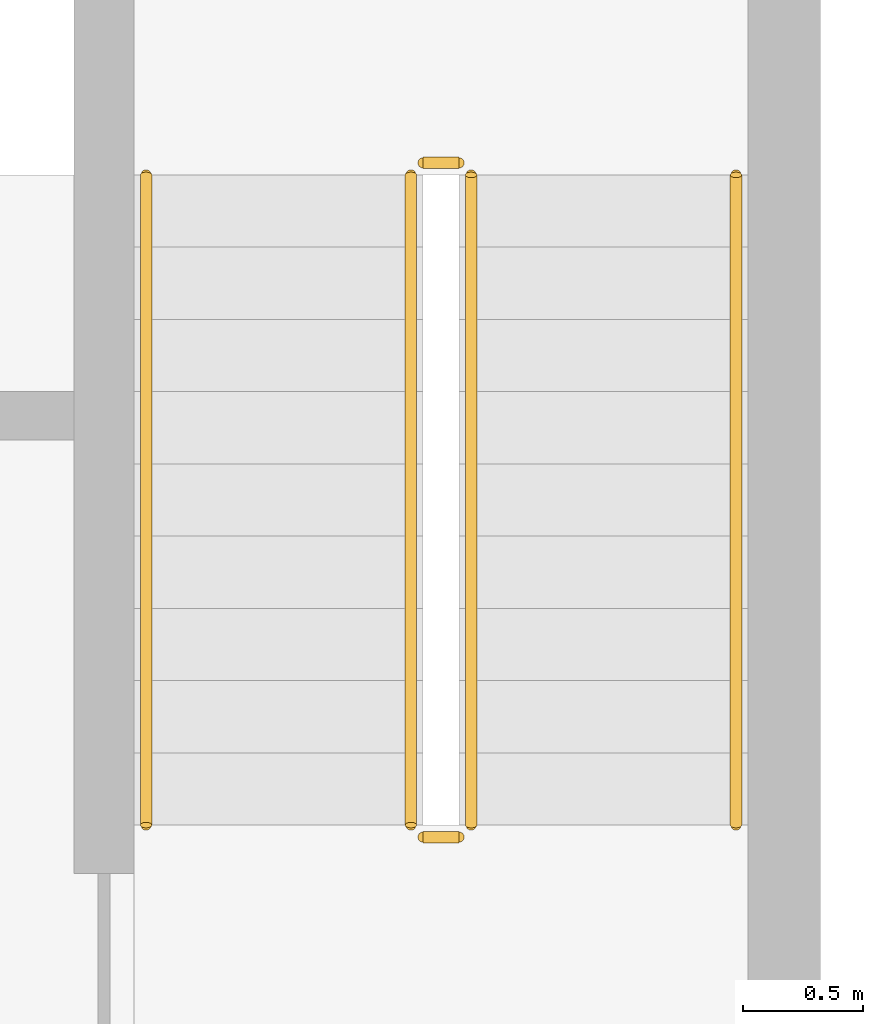
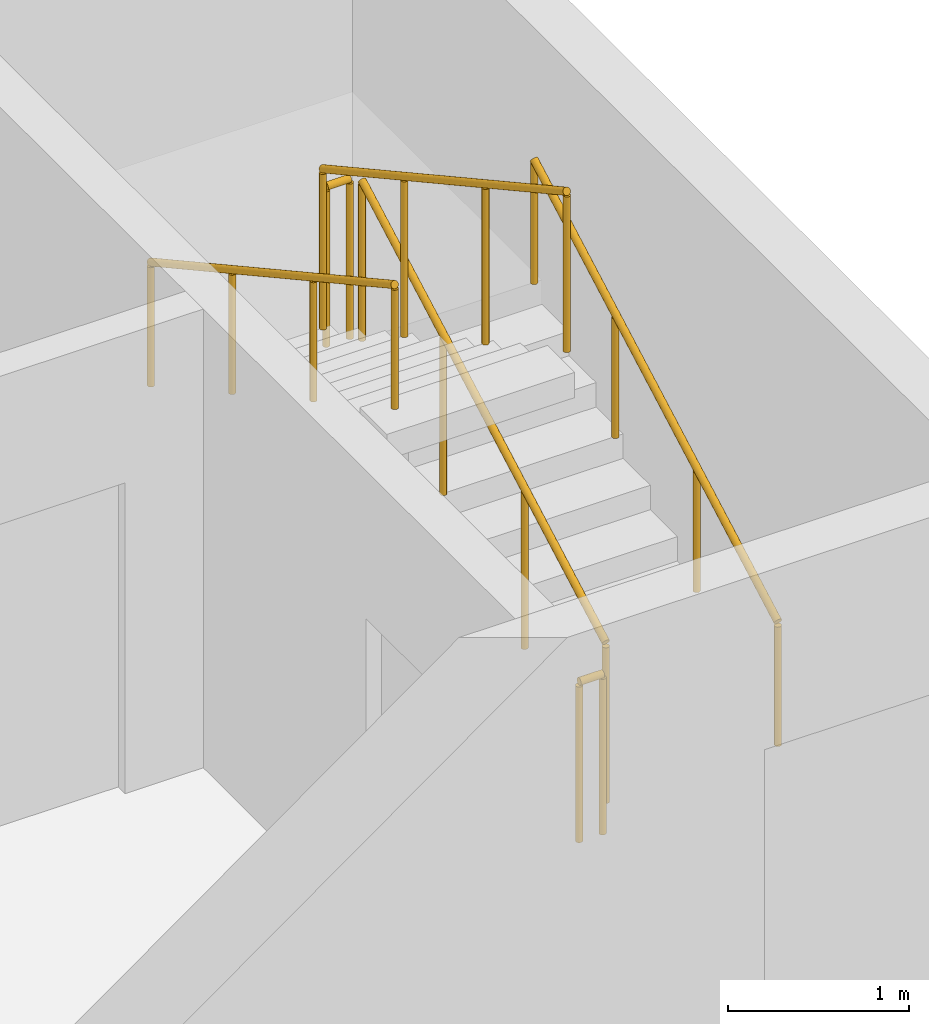
# One storey, part 187 of 199: 6 railings.
"""IFC4 building model written with IfcOpenShell, lengths in metres."""

from ifc_helpers import new_model, si_unit, direction, frame, origin, origin_2d, place, context, subcontext, project, spatial, circle, extrude, material, type_object, element, save


model = new_model("IFC4")

# Units and contexts
model_context = context("Model", 3, precision=1e-05, world=origin(), true_north=direction((0.0, 1.0)))
body_context = subcontext(model_context, "Body", "Model", "MODEL_VIEW")
ifc_project = project(units=[si_unit("LENGTHUNIT", "METRE"), si_unit("AREAUNIT", "SQUARE_METRE"), si_unit("VOLUMEUNIT", "CUBIC_METRE"), si_unit("PLANEANGLEUNIT", "RADIAN"), si_unit("MASSUNIT", "GRAM", prefix="KILO")], contexts=[model_context])

# Site, building, storey
site_placement = place(None, origin())
site = spatial("IfcSite", under=ifc_project, at=site_placement, CompositionType="ELEMENT")
building_placement = place(site_placement, origin())
building = spatial("IfcBuilding", under=site, at=building_placement, Name="Parallax Yard Mobility Hub", CompositionType="ELEMENT")
storey_placement = place(building_placement, frame((0.0, 0.0, 9.89990234375)))
storey = spatial("IfcBuildingStorey", under=building, at=storey_placement, Name="L03", CompositionType="ELEMENT", Elevation=9.89990234375)

# Railings
ifc_material = material(Name="Steel ASTM A36", Category="steel")
railing_type_1 = type_object("IfcRailingType", Name="Stair guard 1100", PredefinedType="GUARDRAIL", material=ifc_material)
railing_1_placement = place(storey_placement, frame((141.050048828125, 47.39990234375, 0.1650390625)))
element("IfcRailing", 1, at=railing_1_placement, inside=storey, type_object=railing_type_1, Name="L03 ST14 stair guard 1", PredefinedType="GUARDRAIL", context=body_context, shape_type="SweptSolid", body=[
    extrude(circle(Radius=0.02392578125, at=origin_2d()), frame((0.0, 0.0, 1.076171875), z_axis=(0.0, 0.876215908677, 0.481918749772), x_axis=(-1.0, 0.0, 0.0)), (0.0, 0.0, 1.0), 3.08154296875),
    extrude(circle(Radius=0.02099609375, at=origin_2d()), origin(), (0.0, 0.0, 1.0), 1.052001953125),
    extrude(circle(Radius=0.02099609375, at=origin_2d()), frame((0.0, 0.900146484375, 0.4951171875)), (0.0, 0.0, 1.0), 1.052001953125),
    extrude(circle(Radius=0.02099609375, at=origin_2d()), frame((0.0, 1.800048828125, 0.989990234375)), (0.0, 0.0, 1.0), 1.052001953125),
    extrude(circle(Radius=0.02099609375, at=origin_2d()), frame((0.0, 2.7001953125, 1.485107421875)), (0.0, 0.0, 1.0), 1.052001953125),
])
railing_2_placement = place(storey_placement, frame((141.0, 50.14990234375, 1.650146484375)))
element("IfcRailing", 2, at=railing_2_placement, inside=storey, type_object=railing_type_1, Name="L03 ST14 stair guard 2", PredefinedType="GUARDRAIL", context=body_context, shape_type="SweptSolid", body=[
    extrude(circle(Radius=0.02392578125, at=origin_2d()), frame((0.0, 0.0, 1.076171875), z_axis=(-1.0, 0.0, 0.0), x_axis=(0.0, -1.0, 0.0)), (0.0, 0.0, 1.0), 0.14990234375),
    extrude(circle(Radius=0.02099609375, at=origin_2d()), origin(), (0.0, 0.0, 1.0), 1.052001953125),
    extrude(circle(Radius=0.02099609375, at=origin_2d()), frame((-0.14990234375, 0.0, 0.0)), (0.0, 0.0, 1.0), 1.052001953125),
])
railing_3_placement = place(storey_placement, frame((140.800048828125, 50.10009765625, 1.815185546875)))
element("IfcRailing", 3, at=railing_3_placement, inside=storey, type_object=railing_type_1, Name="L03 ST14 stair guard 3", PredefinedType="GUARDRAIL", context=body_context, shape_type="SweptSolid", body=[
    extrude(circle(Radius=0.02392578125, at=origin_2d()), frame((0.0, 0.0, 1.076171875), z_axis=(0.0, -0.876249361297, 0.481857921827), x_axis=(1.0, 0.0, 0.0)), (0.0, 0.0, 1.0), 3.08154296875),
    extrude(circle(Radius=0.02099609375, at=origin_2d()), origin(), (0.0, 0.0, 1.0), 1.052001953125),
    extrude(circle(Radius=0.02099609375, at=origin_2d()), frame((0.0, -0.900146484375, 0.494873046875)), (0.0, 0.0, 1.0), 1.052001953125),
    extrude(circle(Radius=0.02099609375, at=origin_2d()), frame((0.0, -1.800048828125, 0.989990234375)), (0.0, 0.0, 1.0), 1.052001953125),
    extrude(circle(Radius=0.02099609375, at=origin_2d()), frame((0.0, -2.7001953125, 1.48486328125)), (0.0, 0.0, 1.0), 1.052001953125),
])
railing_4_placement = place(storey_placement, frame((141.0, 47.35009765625, 0.0)))
element("IfcRailing", 4, at=railing_4_placement, inside=storey, type_object=railing_type_1, Name="L03 ST14 stair guard 4", PredefinedType="GUARDRAIL", context=body_context, shape_type="SweptSolid", body=[
    extrude(circle(Radius=0.02392578125, at=origin_2d()), frame((0.0, 0.0, 1.076171875), z_axis=(-1.0, 0.0, 0.0), x_axis=(0.0, -1.0, 0.0)), (0.0, 0.0, 1.0), 0.14990234375),
    extrude(circle(Radius=0.02099609375, at=origin_2d()), origin(), (0.0, 0.0, 1.0), 1.052001953125),
    extrude(circle(Radius=0.02099609375, at=origin_2d()), frame((-0.14990234375, 0.0, 0.0)), (0.0, 0.0, 1.0), 1.052001953125),
])
railing_type_2 = type_object("IfcRailingType", Name="Stair handrail", PredefinedType="HANDRAIL", material=ifc_material)
railing_5_placement = place(storey_placement, frame((142.14990234375, 47.39990234375, 0.1650390625)))
element("IfcRailing", 5, at=railing_5_placement, inside=storey, type_object=railing_type_2, Name="L03 ST14 stair handrail 1", PredefinedType="HANDRAIL", context=body_context, shape_type="SweptSolid", body=[
    extrude(circle(Radius=0.02392578125, at=origin_2d()), frame((0.0, 0.0, 0.8310546875), z_axis=(0.0, 0.876215908677, 0.481918749772), x_axis=(-1.0, 0.0, 0.0)), (0.0, 0.0, 1.0), 3.08154296875),
    extrude(circle(Radius=0.02099609375, at=origin_2d()), origin(), (0.0, 0.0, 1.0), 0.806884765625),
    extrude(circle(Radius=0.02099609375, at=origin_2d()), frame((0.0, 0.900146484375, 0.4951171875)), (0.0, 0.0, 1.0), 0.806884765625),
    extrude(circle(Radius=0.02099609375, at=origin_2d()), frame((0.0, 1.800048828125, 0.989990234375)), (0.0, 0.0, 1.0), 0.806884765625),
    extrude(circle(Radius=0.02099609375, at=origin_2d()), frame((0.0, 2.7001953125, 1.485107421875)), (0.0, 0.0, 1.0), 0.806884765625),
])
railing_6_placement = place(storey_placement, frame((139.699951171875, 50.10009765625, 1.815185546875)))
element("IfcRailing", 6, at=railing_6_placement, inside=storey, type_object=railing_type_2, Name="L03 ST14 stair handrail 2", PredefinedType="HANDRAIL", context=body_context, shape_type="SweptSolid", body=[
    extrude(circle(Radius=0.02392578125, at=origin_2d()), frame((0.0, 0.0, 0.8310546875), z_axis=(0.0, -0.876249361297, 0.481857921827), x_axis=(1.0, 0.0, 0.0)), (0.0, 0.0, 1.0), 3.08154296875),
    extrude(circle(Radius=0.02099609375, at=origin_2d()), origin(), (0.0, 0.0, 1.0), 0.806884765625),
    extrude(circle(Radius=0.02099609375, at=origin_2d()), frame((0.0, -0.900146484375, 0.494873046875)), (0.0, 0.0, 1.0), 0.806884765625),
    extrude(circle(Radius=0.02099609375, at=origin_2d()), frame((0.0, -1.800048828125, 0.989990234375)), (0.0, 0.0, 1.0), 0.806884765625),
    extrude(circle(Radius=0.02099609375, at=origin_2d()), frame((0.0, -2.7001953125, 1.48486328125)), (0.0, 0.0, 1.0), 0.806884765625),
])

save(model, "model.ifc")
